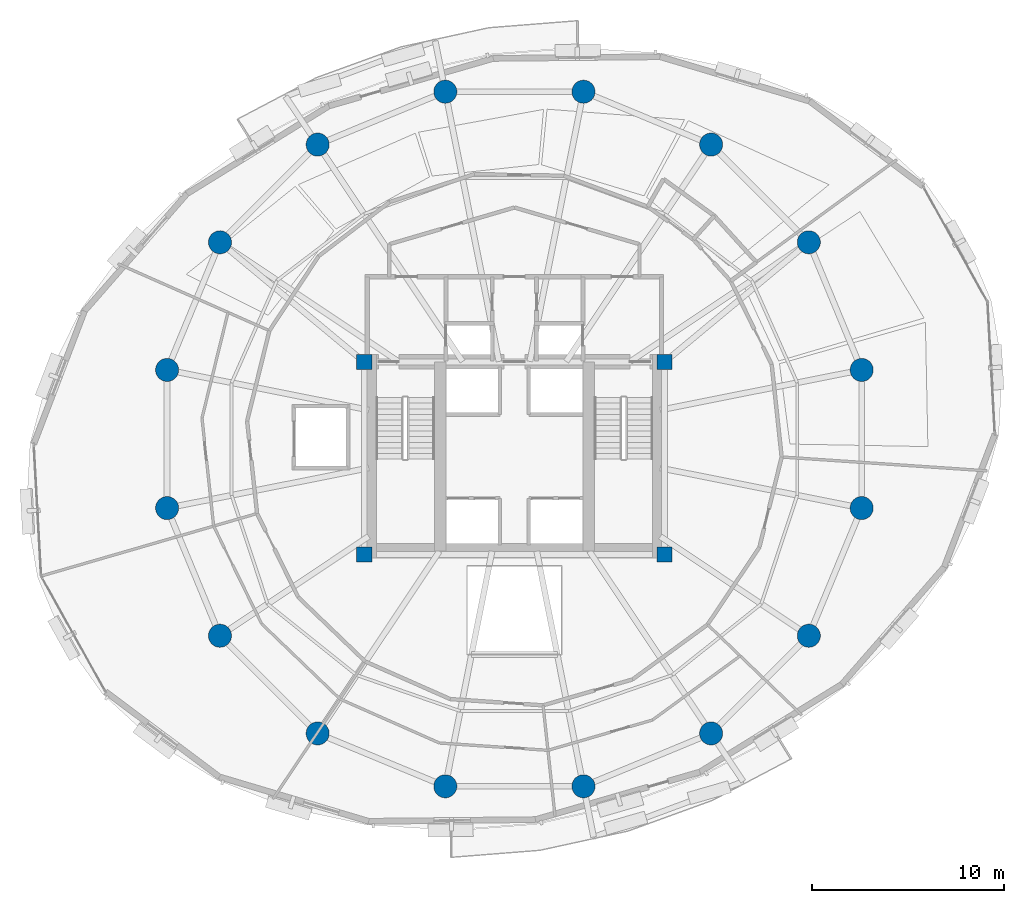
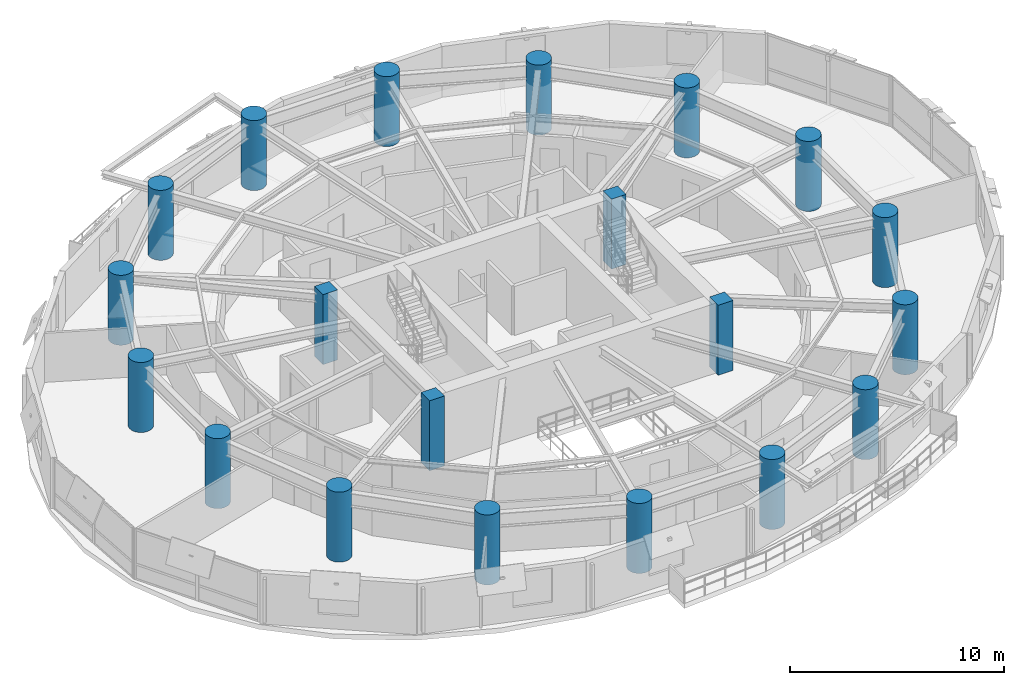
# One storey, part 1 of 15: 20 columns.
"""IFC4 building model written with IfcOpenShell, lengths in metres."""

from ifc_helpers import new_model, si_unit, direction, frame, origin, origin_2d, place, context, subcontext, project, spatial, rectangle, circle, extrude, material, material_profile, profile_set, type_object, element, save


model = new_model("IFC4")

# Units and contexts
model_context = context("Model", 3, precision=1e-05, world=origin(), true_north=direction((0.0, 1.0)))
body_context = subcontext(model_context, "Body", "Model", "MODEL_VIEW")
ifc_project = project(units=[si_unit("LENGTHUNIT", "METRE"), si_unit("AREAUNIT", "SQUARE_METRE"), si_unit("VOLUMEUNIT", "CUBIC_METRE"), si_unit("PLANEANGLEUNIT", "RADIAN"), si_unit("MASSUNIT", "GRAM", prefix="KILO"), si_unit("THERMODYNAMICTEMPERATUREUNIT", "KELVIN"), si_unit("POWERUNIT", "WATT")], contexts=[model_context])

# Site, building, storey
site_placement = place(None, origin())
site = spatial("IfcSite", under=ifc_project, at=site_placement, CompositionType="ELEMENT")
building_placement = place(site_placement, origin())
building = spatial("IfcBuilding", under=site, at=building_placement, Name="Ocrelia Relay Tower", CompositionType="ELEMENT")
storey_placement = place(building_placement, frame((0.0, 0.0, 101.800048828125)))
storey = spatial("IfcBuildingStorey", under=building, at=storey_placement, Name="L23", CompositionType="ELEMENT", Elevation=101.800048828125)

# Columns
ifc_material = material(Name="Concrete C60/75", Category="concrete")
ifc_material_profile_1 = material_profile(ifc_material, circle(Radius=0.60009765625, at=origin_2d()), Name="RC-CIR-1200")
ifc_profile_set_1 = profile_set([ifc_material_profile_1], Name="Concrete C60/75")
column_type_1 = type_object("IfcColumnType", Name="COL-CT-1200", PredefinedType="COLUMN", material=ifc_profile_set_1)
for number, where, z_axis, x_axis, name in (
    (1, (52.04638671875, 29.589599609375, 0.0), (0.0, 0.0, 1.0), (1.0, 0.0, 0.0), "L23 Perimeter Ring Column C01"),
    (2, (49.299072265625, 36.222412109375, 0.0), (0.0, 0.0, 1.0), (1.0, 0.0, 0.0), "L23 Perimeter Ring Column C02"),
    (3, (44.222412109375, 41.299072265625, 0.0), (0.0, 0.0, 1.0), (1.0, 0.0, 0.0), "L23 Perimeter Ring Column C03"),
    (4, (37.589599609375, 44.04638671875, 0.0), (0.0, 0.0, 1.0), (1.0, 0.0, 0.0), "L23 Perimeter Ring Column C04"),
    (5, (30.410400390625, 44.04638671875, 0.0), (0.0, 0.0, 1.0), (1.0, 0.0, 0.0), "L23 Perimeter Ring Column C05"),
    (6, (23.777587890625, 41.299072265625, 0.0), (0.0, 0.0, 1.0), (1.0, 0.0, 0.0), "L23 Perimeter Ring Column C06"),
    (7, (18.700927734375, 36.222412109375, 0.0), (0.0, 0.0, 1.0), (1.0, 0.0, 0.0), "L23 Perimeter Ring Column C07"),
    (8, (15.95361328125, 29.589599609375, 0.0), (0.0, 0.0, 1.0), (1.0, 0.0, 0.0), "L23 Perimeter Ring Column C08"),
    (9, (15.95361328125, 22.410400390625, 0.0), (0.0, 0.0, 1.0), (1.0, 0.0, 0.0), "L23 Perimeter Ring Column C09"),
    (10, (18.700927734375, 15.777587890625, 0.0), (0.0, 0.0, 1.0), (1.0, 0.0, 0.0), "L23 Perimeter Ring Column C10"),
    (11, (23.777587890625, 10.700927734375, 0.0), (0.0, 0.0, 1.0), (1.0, 0.0, 0.0), "L23 Perimeter Ring Column C11"),
    (12, (30.410400390625, 7.95361328125, 0.0), (0.0, 0.0, 1.0), (1.0, 0.0, 0.0), "L23 Perimeter Ring Column C12"),
    (13, (37.589599609375, 7.95361328125, 0.0), (0.0, 0.0, 1.0), (1.0, 0.0, 0.0), "L23 Perimeter Ring Column C13"),
    (14, (44.222412109375, 10.700927734375, 0.0), (0.0, 0.0, 1.0), (1.0, 0.0, 0.0), "L23 Perimeter Ring Column C14"),
    (15, (49.299072265625, 15.777587890625, 0.0), (0.0, 0.0, 1.0), (1.0, 0.0, 0.0), "L23 Perimeter Ring Column C15"),
    (16, (52.04638671875, 22.410400390625, 0.0), (0.0, 0.0, 1.0), (1.0, 0.0, 0.0), "L23 Perimeter Ring Column C16"),
):
    element("IfcColumn", number, at=place(storey_placement, frame(where, z_axis=z_axis, x_axis=x_axis)), inside=storey, type_object=column_type_1, Name=name, PredefinedType="COLUMN", context=body_context, shape_type="SweptSolid", body=[
        extrude(circle(Radius=0.60009765625, at=origin_2d()), origin(), (0.0, 0.0, 1.0), 4.0),
    ])
ifc_material_profile_2 = material_profile(ifc_material, rectangle(XDim=0.800048828125, YDim=0.800048828125, at=origin_2d()), Name="RC-COL-800x800")
ifc_profile_set_2 = profile_set([ifc_material_profile_2], Name="Concrete C60/75")
column_type_2 = type_object("IfcColumnType", Name="COL-PILASTER-800", PredefinedType="PILASTER", material=ifc_profile_set_2)
for number, where, z_axis, x_axis, name in (
    (17, (26.199951171875, 20.0, 0.0), (0.0, 0.0, 1.0), (1.0, 0.0, 0.0), "L23 Core Corner Pilaster SW"),
    (18, (41.800048828125, 20.0, 0.0), (0.0, 0.0, 1.0), (1.0, 0.0, 0.0), "L23 Core Corner Pilaster SE"),
    (19, (26.199951171875, 30.0, 0.0), (0.0, 0.0, 1.0), (1.0, 0.0, 0.0), "L23 Core Corner Pilaster NW"),
    (20, (41.800048828125, 30.0, 0.0), (0.0, 0.0, 1.0), (1.0, 0.0, 0.0), "L23 Core Corner Pilaster NE"),
):
    element("IfcColumn", number, at=place(storey_placement, frame(where, z_axis=z_axis, x_axis=x_axis)), inside=storey, type_object=column_type_2, Name=name, PredefinedType="PILASTER", context=body_context, shape_type="SweptSolid", body=[
        extrude(rectangle(XDim=0.800048828125, YDim=0.800048828125, at=origin_2d()), origin(), (0.0, 0.0, 1.0), 4.0),
    ])

save(model, "model.ifc")
